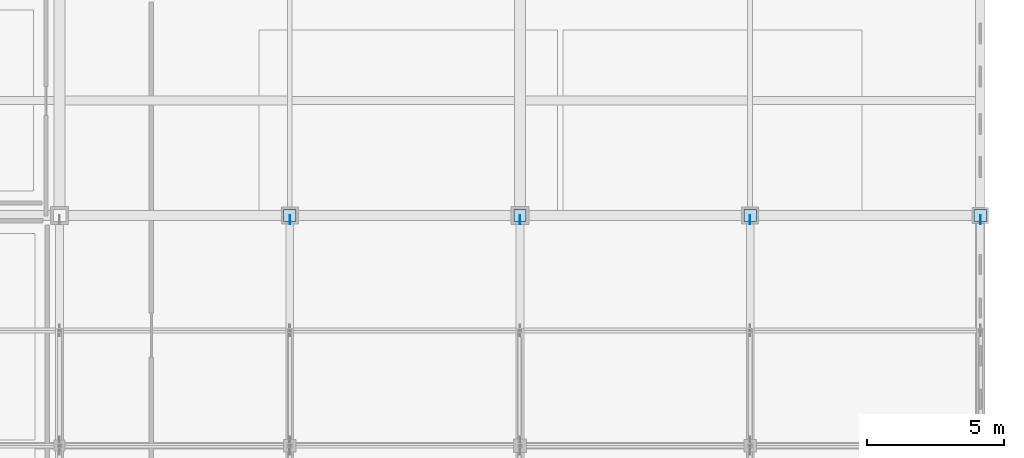
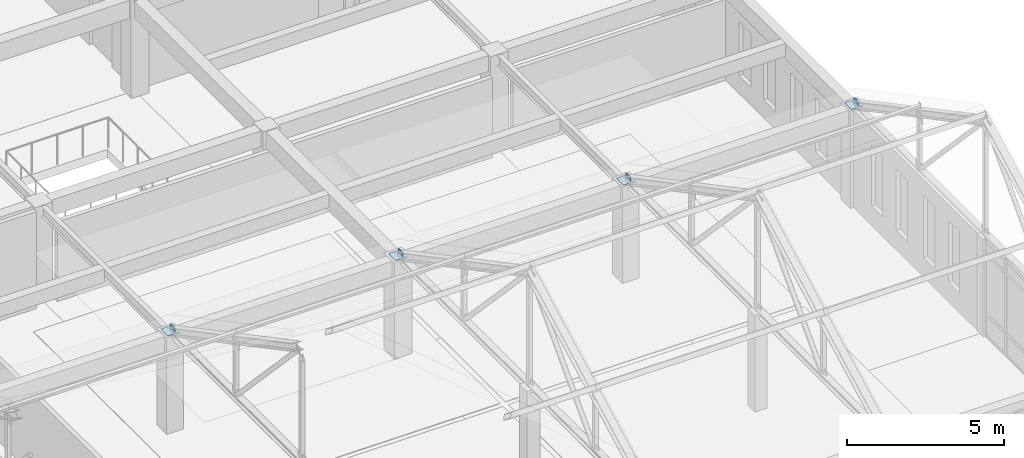
# One storey, part 30 of 47: 8 plates.
"""IFC4 building model written with IfcOpenShell, lengths in metres."""

from ifc_helpers import new_model, si_unit, direction, frame, origin, origin_2d, place, context, subcontext, project, spatial, rectangle, extrude, material, layer, layer_set, type_object, element, save


model = new_model("IFC4")

# Units and contexts
model_context = context("Model", 3, precision=1e-05, world=origin(), true_north=direction((0.0, 1.0)))
body_context = subcontext(model_context, "Body", "Model", "MODEL_VIEW")
ifc_project = project(units=[si_unit("LENGTHUNIT", "METRE"), si_unit("AREAUNIT", "SQUARE_METRE"), si_unit("VOLUMEUNIT", "CUBIC_METRE"), si_unit("PLANEANGLEUNIT", "RADIAN"), si_unit("MASSUNIT", "GRAM", prefix="KILO")], contexts=[model_context])

# Site, building, storey
site_placement = place(None, origin())
site = spatial("IfcSite", under=ifc_project, at=site_placement, CompositionType="ELEMENT")
building_placement = place(site_placement, origin())
building = spatial("IfcBuilding", under=site, at=building_placement, Name="Kveldsbrygga Polytechnic", CompositionType="ELEMENT")
storey_placement = place(building_placement, frame((0.0, 0.0, 13.93994140625)))
storey = spatial("IfcBuildingStorey", under=building, at=storey_placement, Name="L03", CompositionType="ELEMENT", Elevation=13.93994140625)

# Plates
ifc_material = material(Name="Steel S355", Category="steel")
ifc_layer_1 = layer(ifc_material, 0.030029296875)
ifc_layer_set_1 = layer_set([ifc_layer_1], Name="Steel S355")
plate_type_1 = type_object("IfcPlateType", Name="CAP-BEAR-450", PredefinedType="SHEET", material=ifc_layer_set_1)
for number, where, z_axis, x_axis, name in (
    (1, (142.800048828125, 16.800048828125, 3.75), (0.0, 0.0, 1.0), (1.0, 0.0, 0.0), "Truss Bearing Plate V4S4-T03-B"),
    (2, (151.199951171875, 16.800048828125, 3.75), (0.0, 0.0, 1.0), (1.0, 0.0, 0.0), "Truss Bearing Plate V4S4-T04-B"),
    (3, (159.60009765625, 16.800048828125, 3.75), (0.0, 0.0, 1.0), (1.0, 0.0, 0.0), "Truss Bearing Plate V4S4-T05-B"),
    (4, (168.0, 16.800048828125, 3.75), (0.0, 0.0, 1.0), (1.0, 0.0, 0.0), "Truss Bearing Plate V4S4-T06-B"),
):
    element("IfcPlate", number, at=place(storey_placement, frame(where, z_axis=z_axis, x_axis=x_axis)), inside=storey, type_object=plate_type_1, Name=name, PredefinedType="SHEET", context=body_context, shape_type="SweptSolid", body=[
        extrude(rectangle(XDim=0.449951171875, YDim=0.449951171875, at=origin_2d()), origin(), (0.0, 0.0, 1.0), 0.030029296875),
    ])
ifc_layer_2 = layer(ifc_material, 0.01806640625)
ifc_layer_set_2 = layer_set([ifc_layer_2], Name="Steel S355")
plate_type_2 = type_object("IfcPlateType", Name="GUS-BRACE-320", PredefinedType="SHEET", material=ifc_layer_set_2)
for number, where, z_axis, x_axis, name in (
    (5, (142.800048828125, 16.639892578125, 3.740234375), (0.0, 0.0, 1.0), (1.0, 0.0, 0.0), "Truss Eaves Node Gusset V4S4-T03-EGP-B"),
    (6, (151.199951171875, 16.639892578125, 3.740234375), (0.0, 0.0, 1.0), (1.0, 0.0, 0.0), "Truss Eaves Node Gusset V4S4-T04-EGP-B"),
    (7, (159.60009765625, 16.639892578125, 3.740234375), (0.0, 0.0, 1.0), (1.0, 0.0, 0.0), "Truss Eaves Node Gusset V4S4-T05-EGP-B"),
    (8, (168.0, 16.639892578125, 3.740234375), (0.0, 0.0, 1.0), (1.0, 0.0, 0.0), "Truss Eaves Node Gusset V4S4-T06-EGP-B"),
):
    element("IfcPlate", number, at=place(storey_placement, frame(where, z_axis=z_axis, x_axis=x_axis)), inside=storey, type_object=plate_type_2, Name=name, PredefinedType="SHEET", context=body_context, shape_type="SweptSolid", body=[
        extrude(rectangle(XDim=0.01806640625, YDim=0.320068359375, at=origin_2d()), origin(), (0.0, 0.0, 1.0), 0.320068359375),
    ])

save(model, "model.ifc")
